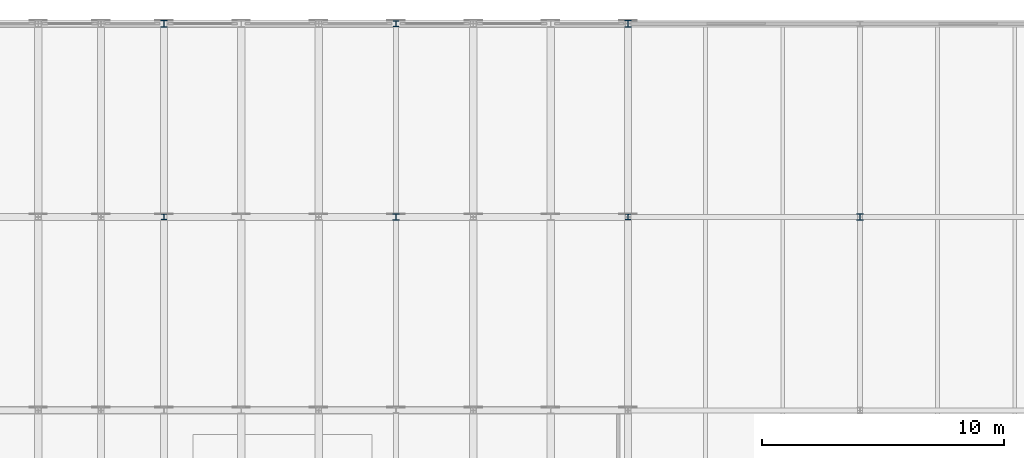
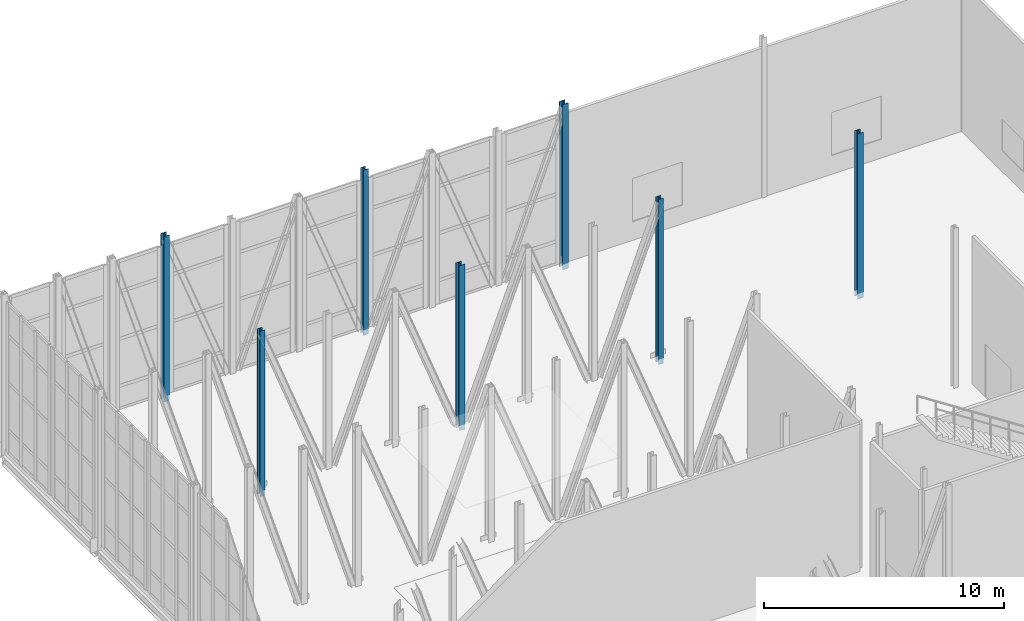
# One storey, part 11 of 73: 7 columns.
"""IFC4 building model written with IfcOpenShell, lengths in metres."""

from ifc_helpers import new_model, si_unit, direction, frame, origin, origin_2d, place, context, subcontext, project, spatial, i_section, extrude, material, material_profile, profile_set, type_object, element, save


model = new_model("IFC4")

# Units and contexts
model_context = context("Model", 3, precision=1e-05, world=origin(), true_north=direction((0.0, 1.0)))
body_context = subcontext(model_context, "Body", "Model", "MODEL_VIEW")
ifc_project = project(units=[si_unit("LENGTHUNIT", "METRE"), si_unit("AREAUNIT", "SQUARE_METRE"), si_unit("VOLUMEUNIT", "CUBIC_METRE"), si_unit("PLANEANGLEUNIT", "RADIAN"), si_unit("MASSUNIT", "GRAM", prefix="KILO")], contexts=[model_context])

# Site, building, storey
site_placement = place(None, origin())
site = spatial("IfcSite", under=ifc_project, at=site_placement, CompositionType="ELEMENT")
building_placement = place(site_placement, origin())
building = spatial("IfcBuilding", under=site, at=building_placement, Name="Alderhovde Museum", CompositionType="ELEMENT")
storey_placement = place(building_placement, frame((0.0, 0.0, 17.39990234375)))
storey = spatial("IfcBuildingStorey", under=building, at=storey_placement, Name="L04", CompositionType="ELEMENT", Elevation=17.39990234375)

# Columns
ifc_material_1 = material(Name="Steel S355J2", Category="steel")
ifc_material_profile_1 = material_profile(ifc_material_1, i_section(OverallWidth=0.239990234375, OverallDepth=0.239990234375, WebThickness=0.010009765625, FlangeThickness=0.01708984375, FilletRadius=0.02099609375, at=origin_2d()), Name="HEB 240")
ifc_profile_set_1 = profile_set([ifc_material_profile_1], Name="Steel S355J2")
column_type_1 = type_object("IfcColumnType", Name="COL-HEB240", PredefinedType="COLUMN", material=ifc_profile_set_1)
for number, where, z_axis, x_axis, name in (
    (1, (9.60009765625, 104.0, -0.27978515625), (0.0, 0.0, 1.0), (1.0, 0.0, 0.0), "L04 Column (9.6, 104.0)"),
    (2, (19.199951171875, 112.0, -0.27978515625), (0.0, 0.0, 1.0), (1.0, 0.0, 0.0), "L04 Column (19.2, 112.0)"),
    (3, (28.800048828125, 104.0, -0.27978515625), (0.0, 0.0, 1.0), (1.0, 0.0, 0.0), "L04 Column (28.8, 104.0)"),
):
    element("IfcColumn", number, at=place(storey_placement, frame(where, z_axis=z_axis, x_axis=x_axis)), inside=storey, type_object=column_type_1, Name=name, PredefinedType="COLUMN", context=body_context, shape_type="SweptSolid", body=[
        extrude(i_section(OverallWidth=0.239990234375, OverallDepth=0.239990234375, WebThickness=0.010009765625, FlangeThickness=0.01708984375, FilletRadius=0.02099609375, at=origin_2d()), origin(), (0.0, 0.0, 1.0), 8.419921875),
    ])
ifc_material_2 = material(Name="Steel S355J2", Category="steel")
ifc_material_profile_2 = material_profile(ifc_material_2, i_section(OverallWidth=0.280029296875, OverallDepth=0.280029296875, WebThickness=0.010498046875, FlangeThickness=0.01806640625, FilletRadius=0.02392578125, at=origin_2d()), Name="HEB 280")
ifc_profile_set_2 = profile_set([ifc_material_profile_2], Name="Steel S355J2")
column_type_2 = type_object("IfcColumnType", Name="COL-HEB280", PredefinedType="COLUMN", material=ifc_profile_set_2)
for number, where, z_axis, x_axis, name in (
    (4, (9.60009765625, 112.0, -0.27978515625), (0.0, 0.0, 1.0), (1.0, 0.0, 0.0), "L04 Column (9.6, 112.0)"),
    (5, (19.199951171875, 104.0, -0.27978515625), (0.0, 0.0, 1.0), (1.0, 0.0, 0.0), "L04 Column (19.2, 104.0)"),
    (6, (28.800048828125, 112.0, -0.27978515625), (0.0, 0.0, 1.0), (1.0, 0.0, 0.0), "L04 Column (28.8, 112.0)"),
    (7, (38.39990234375, 104.0, -0.27978515625), (0.0, 0.0, 1.0), (1.0, 0.0, 0.0), "L04 Column (38.4, 104.0)"),
):
    element("IfcColumn", number, at=place(storey_placement, frame(where, z_axis=z_axis, x_axis=x_axis)), inside=storey, type_object=column_type_2, Name=name, PredefinedType="COLUMN", context=body_context, shape_type="SweptSolid", body=[
        extrude(i_section(OverallWidth=0.280029296875, OverallDepth=0.280029296875, WebThickness=0.010498046875, FlangeThickness=0.01806640625, FilletRadius=0.02392578125, at=origin_2d()), origin(), (0.0, 0.0, 1.0), 8.419921875),
    ])

save(model, "model.ifc")
